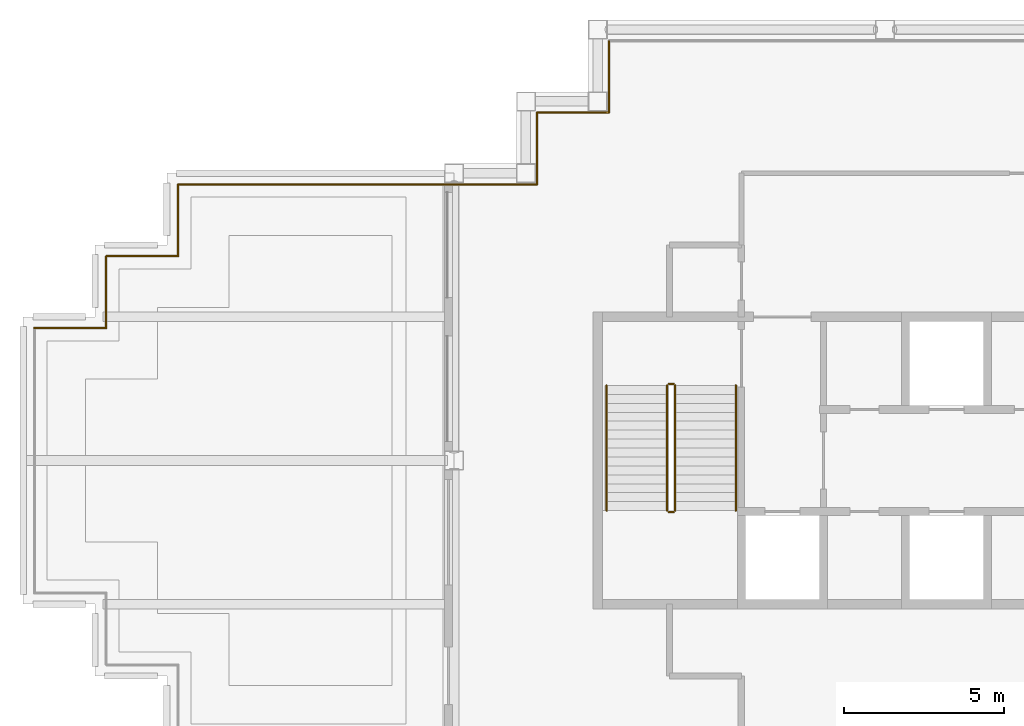
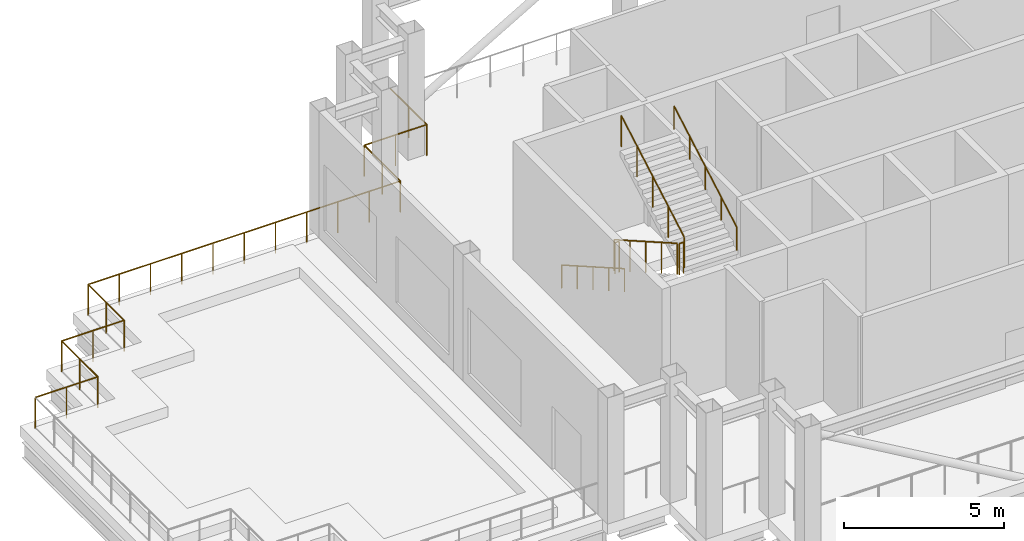
# One storey, part 7 of 9: 14 railings.
"""IFC4 building model written with IfcOpenShell, lengths in metres."""

import ifcopenshell
import ifcopenshell.guid

model = None  # the IFC model being written
_history = None  # IfcOwnerHistory: only IFC2X3 demands one
_inside = {}  # id of a spatial element -> (the spatial element, [elements in it])
_under = {}  # id of a project, library or spatial element -> (it, [spatial elements below it])
_declared = {}  # id of a project -> (the project, [libraries it declares])
_typed = {}  # id of a type object -> (the type object, [elements of that type])
_made_of = {}  # id of a material, layer set ... -> (it, [elements and type objects made of it])


def new_model(schema):
    """Start an empty IFC model of exactly this schema.

    Asked for "IFC4X3", IfcOpenShell would pick the latest addendum, in which some entities
    have other attributes; the version numbers below select the first issue.
    IFC2X3 requires an IfcOwnerHistory on every rooted entity: one is made here for all.
    """
    global model, _history
    if schema == "IFC4X3":
        model = ifcopenshell.file(schema_version=(4, 3, 0, 0))
    else:
        model = ifcopenshell.file(schema=schema)
    _inside.clear()
    _under.clear()
    _declared.clear()
    _typed.clear()
    _made_of.clear()
    _history = None
    if model.schema == "IFC2X3":
        org = make("IfcOrganization", Name="unknown")
        user = make(
            "IfcPersonAndOrganization",
            ThePerson=make("IfcPerson", FamilyName="unknown"),
            TheOrganization=org,
        )
        app = make(
            "IfcApplication",
            ApplicationDeveloper=org,
            Version="unknown",
            ApplicationFullName="unknown",
            ApplicationIdentifier="unknown",
        )
        _history = make(
            "IfcOwnerHistory",
            OwningUser=user,
            OwningApplication=app,
            ChangeAction="ADDED",
            CreationDate=0,
        )
    return model


def make(cls, **values):
    """One entity of the class cls with the attributes given. An attribute that is None is left unset."""
    return model.create_entity(
        cls, **{name: value for name, value in values.items() if value is not None}
    )


def rooted(cls, **values):
    """An entity with a GlobalId (a new one), such as an element, a storey or a relation."""
    return make(cls, GlobalId=ifcopenshell.guid.new(), OwnerHistory=_history, **values)


def si_unit(unit_type, name, prefix=None):
    """IfcSIUnit, for example si_unit("LENGTHUNIT", "METRE", prefix="MILLI")."""
    return make("IfcSIUnit", UnitType=unit_type, Prefix=prefix, Name=name)


def assignment(units):
    """IfcUnitAssignment: the units of a project."""
    return None if units is None else make("IfcUnitAssignment", Units=units)


def point(xyz):
    """IfcCartesianPoint."""
    return None if xyz is None else make("IfcCartesianPoint", Coordinates=xyz)


def direction(xyz):
    """IfcDirection."""
    return None if xyz is None else make("IfcDirection", DirectionRatios=xyz)


def frame(location, z_axis=None, x_axis=None):
    """IfcAxis2Placement3D, a coordinate frame: its origin and axes. An axis left out is left unset."""
    return make(
        "IfcAxis2Placement3D",
        Location=point(location),
        Axis=direction(z_axis),
        RefDirection=direction(x_axis),
    )


def frame_2d(location, x_axis=None):
    """IfcAxis2Placement2D, a coordinate frame in the plane: its origin and x axis."""
    return make(
        "IfcAxis2Placement2D", Location=point(location), RefDirection=direction(x_axis)
    )


def origin():
    """The frame at (0, 0, 0) with its axes left unset."""
    return frame((0.0, 0.0, 0.0))


def origin_2d():
    """The frame at (0, 0) in the plane with its x axis left unset."""
    return frame_2d((0.0, 0.0))


def place(relative_to, where):
    """IfcLocalPlacement: puts the frame where relative to a parent placement (None: the world)."""
    return make(
        "IfcLocalPlacement", PlacementRelTo=relative_to, RelativePlacement=where
    )


def context(
    kind, dimensions, precision=None, world=None, true_north=None, identifier=None
):
    """IfcGeometricRepresentationContext, for example the 3D "Model" context."""
    return make(
        "IfcGeometricRepresentationContext",
        ContextIdentifier=identifier,
        ContextType=kind,
        CoordinateSpaceDimension=dimensions,
        Precision=precision,
        WorldCoordinateSystem=world,
        TrueNorth=true_north,
    )


def subcontext(parent, identifier, kind, view, scale=None):
    """IfcGeometricRepresentationSubContext, for example "Body" below "Model"."""
    return make(
        "IfcGeometricRepresentationSubContext",
        ContextIdentifier=identifier,
        ContextType=kind,
        ParentContext=parent,
        TargetScale=scale,
        TargetView=view,
    )


def project(units=None, contexts=None):
    """IfcProject with its units and contexts."""
    return rooted(
        "IfcProject",
        Name="project",
        RepresentationContexts=contexts,
        UnitsInContext=assignment(units),
    )


def spatial(cls, under=None, at=None, **own):
    """A site, building, storey or space (cls), placed at a placement, below another one or the project."""
    s = rooted(cls, ObjectPlacement=at, **own)
    if under is not None:
        _under.setdefault(under.id(), (under, []))[1].append(s)
    return s


def profile(cls, at=None, kind="AREA", **sizes):
    """A parametric profile (cls). Its sizes go by their IFC names, for example OverallWidth=200.0."""
    return make(cls, ProfileType=kind, Position=at, **sizes)


def circle(**sizes):
    """IfcCircleProfileDef."""
    return profile("IfcCircleProfileDef", **sizes)


def extrude(swept, where, along, depth):
    """IfcExtrudedAreaSolid: the profile swept, set in the frame where, extruded along a direction by depth."""
    return make(
        "IfcExtrudedAreaSolid",
        SweptArea=swept,
        Position=where,
        ExtrudedDirection=direction(along),
        Depth=depth,
    )


def shape(context_of_items, identifier, shape_type, items):
    """IfcShapeRepresentation: the items that make up one representation, for example the "Body"."""
    return make(
        "IfcShapeRepresentation",
        ContextOfItems=context_of_items,
        RepresentationIdentifier=identifier,
        RepresentationType=shape_type,
        Items=items,
    )


def material(Name=None, Category=None):
    """IfcMaterial."""
    return make("IfcMaterial", Name=Name, Category=Category)


def made_of(thing, what):
    """Note that an element or type object is made of a material, layer set ...; save() writes the relation."""
    if what is not None:
        _made_of.setdefault(what.id(), (what, []))[1].append(thing)
    return thing


def type_object(cls, material=None, **own):
    """A type object (cls), such as IfcWallType, which elements share."""
    return made_of(rooted(cls, **own), material)


def element(
    cls,
    number,
    at=None,
    inside=None,
    cuts=None,
    type_object=None,
    material=None,
    context=None,
    identifier="Body",
    shape_type=None,
    held_by="IfcProductDefinitionShape",
    body=None,
    shapes=None,
    **own,
):
    """One element of the class cls, such as IfcWall. Its Tag is "e" and its number.

    at: its placement. inside: the storey or other place that contains it. cuts: it is an
    opening in that element (IfcRelVoidsElement). A single representation is given by context,
    identifier, shape_type and body (its items); several are given by shapes. held_by: the class
    of the entity that holds the representations. save() writes the other relations.
    """
    e = rooted(cls, Tag="e%d" % number, ObjectPlacement=at, **own)
    if body is not None:
        shapes = [shape(context, identifier, shape_type, body)]
    if shapes is not None:
        e.Representation = make(held_by, Representations=shapes)
    if inside is not None:
        _inside.setdefault(inside.id(), (inside, []))[1].append(e)
    if cuts is not None:
        rooted(
            "IfcRelVoidsElement", RelatingBuildingElement=cuts, RelatedOpeningElement=e
        )
    if type_object is not None:
        _typed.setdefault(type_object.id(), (type_object, []))[1].append(e)
    return made_of(e, material)


def aggregate(whole, parts):
    """IfcRelAggregates: a whole, such as a stair, and the parts it consists of."""
    return rooted("IfcRelAggregates", RelatingObject=whole, RelatedObjects=parts)


def save(model, path):
    """Write the relations noted so far, then the file.

    IfcRelAggregates (storeys below a building ...), IfcRelContainedInSpatialStructure (elements
    in a storey), IfcRelDefinesByType, IfcRelAssociatesMaterial and IfcRelDeclares: one each for
    every whole, place, type object, material and project.
    """
    for whole, parts in _under.values():
        aggregate(whole, parts)
    for where, things in _inside.values():
        rooted(
            "IfcRelContainedInSpatialStructure",
            RelatedElements=things,
            RelatingStructure=where,
        )
    for kind, things in _typed.values():
        rooted("IfcRelDefinesByType", RelatedObjects=things, RelatingType=kind)
    for what, things in _made_of.values():
        rooted("IfcRelAssociatesMaterial", RelatedObjects=things, RelatingMaterial=what)
    for by, libraries in _declared.values():
        rooted("IfcRelDeclares", RelatingContext=by, RelatedDefinitions=libraries)
    model.write(path)


model = new_model("IFC4")

# Units and contexts
model_context = context("Model", 3, precision=1e-05, world=origin(), true_north=direction((0.0, 1.0)))
body_context = subcontext(model_context, "Body", "Model", "MODEL_VIEW")
ifc_project = project(units=[si_unit("LENGTHUNIT", "METRE"), si_unit("AREAUNIT", "SQUARE_METRE"), si_unit("VOLUMEUNIT", "CUBIC_METRE"), si_unit("PLANEANGLEUNIT", "RADIAN"), si_unit("MASSUNIT", "GRAM", prefix="KILO")], contexts=[model_context])

# Site, building, storey
site_placement = place(None, origin())
site = spatial("IfcSite", under=ifc_project, at=site_placement, CompositionType="ELEMENT")
building_placement = place(site_placement, origin())
building = spatial("IfcBuilding", under=site, at=building_placement, Name="Caravel Reach Hotel and Residences", CompositionType="ELEMENT")
storey_placement = place(building_placement, frame((0.0, 0.0, 278.60009765625)))
storey = spatial("IfcBuildingStorey", under=building, at=storey_placement, Name="L71", CompositionType="ELEMENT", Elevation=278.60009765625)

# Railings
ifc_material_1 = material(Name="Stainless steel S30408", Category="steel")
railing_type_1 = type_object("IfcRailingType", Name="G1 Guard 1200 stainless", PredefinedType="GUARDRAIL", material=ifc_material_1)
railing_1_placement = place(storey_placement, frame((18.35009765625, 40.14990234375, 0.0)))
element("IfcRailing", 1, at=railing_1_placement, inside=storey, type_object=railing_type_1, Name="Guard L71 1 run 17", PredefinedType="GUARDRAIL", context=body_context, shape_type="SweptSolid", body=[
    extrude(circle(Radius=0.02392578125, at=origin_2d()), frame((0.0, 0.0, 1.17578125), z_axis=(0.0, -1.0, 0.0), x_axis=(1.0, 0.0, 0.0)), (0.0, 0.0, 1.0), 2.25),
    extrude(circle(Radius=0.02099609375, at=origin_2d()), frame((0.0, -1.125, 0.0)), (0.0, 0.0, 1.0), 1.15185546875),
    extrude(circle(Radius=0.02099609375, at=origin_2d()), frame((0.0, -2.25, 0.0)), (0.0, 0.0, 1.0), 1.15185546875),
])
railing_2_placement = place(storey_placement, frame((18.35009765625, 37.89990234375, 0.0)))
element("IfcRailing", 2, at=railing_2_placement, inside=storey, type_object=railing_type_1, Name="Guard L71 1 run 18", PredefinedType="GUARDRAIL", context=body_context, shape_type="SweptSolid", body=[
    extrude(circle(Radius=0.02392578125, at=origin_2d()), frame((0.0, 0.0, 1.17578125), z_axis=(-1.0, 0.0, 0.0), x_axis=(0.0, -1.0, 0.0)), (0.0, 0.0, 1.0), 2.25),
    extrude(circle(Radius=0.02099609375, at=origin_2d()), frame((-1.125, 0.0, 0.0)), (0.0, 0.0, 1.0), 1.15185546875),
    extrude(circle(Radius=0.02099609375, at=origin_2d()), frame((-2.25, 0.0, 0.0)), (0.0, 0.0, 1.0), 1.15185546875),
])
railing_3_placement = place(storey_placement, frame((16.10009765625, 37.89990234375, 0.0)))
element("IfcRailing", 3, at=railing_3_placement, inside=storey, type_object=railing_type_1, Name="Guard L71 1 run 19", PredefinedType="GUARDRAIL", context=body_context, shape_type="SweptSolid", body=[
    extrude(circle(Radius=0.02392578125, at=origin_2d()), frame((0.0, 0.0, 1.17578125), z_axis=(0.0, -1.0, 0.0), x_axis=(1.0, 0.0, 0.0)), (0.0, 0.0, 1.0), 2.25),
    extrude(circle(Radius=0.02099609375, at=origin_2d()), frame((0.0, -1.125, 0.0)), (0.0, 0.0, 1.0), 1.15185546875),
    extrude(circle(Radius=0.02099609375, at=origin_2d()), frame((0.0, -2.25, 0.0)), (0.0, 0.0, 1.0), 1.15185546875),
])
railing_4_placement = place(storey_placement, frame((16.10009765625, 35.64990234375, 0.0)))
element("IfcRailing", 4, at=railing_4_placement, inside=storey, type_object=railing_type_1, Name="Guard L71 1 run 20", PredefinedType="GUARDRAIL", context=body_context, shape_type="SweptSolid", body=[
    extrude(circle(Radius=0.02392578125, at=origin_2d()), frame((0.0, 0.0, 1.17578125), z_axis=(-1.0, 0.0, 0.0), x_axis=(0.0, -1.0, 0.0)), (0.0, 0.0, 1.0), 11.25),
    extrude(circle(Radius=0.02099609375, at=origin_2d()), frame((-1.125, 0.0, 0.0)), (0.0, 0.0, 1.0), 1.15185546875),
    extrude(circle(Radius=0.02099609375, at=origin_2d()), frame((-2.25, 0.0, 0.0)), (0.0, 0.0, 1.0), 1.15185546875),
    extrude(circle(Radius=0.02099609375, at=origin_2d()), frame((-3.375, 0.0, 0.0)), (0.0, 0.0, 1.0), 1.15185546875),
    extrude(circle(Radius=0.02099609375, at=origin_2d()), frame((-4.5, 0.0, 0.0)), (0.0, 0.0, 1.0), 1.15185546875),
    extrude(circle(Radius=0.02099609375, at=origin_2d()), frame((-5.625, 0.0, 0.0)), (0.0, 0.0, 1.0), 1.15185546875),
    extrude(circle(Radius=0.02099609375, at=origin_2d()), frame((-6.75, 0.0, 0.0)), (0.0, 0.0, 1.0), 1.15185546875),
    extrude(circle(Radius=0.02099609375, at=origin_2d()), frame((-7.875, 0.0, 0.0)), (0.0, 0.0, 1.0), 1.15185546875),
    extrude(circle(Radius=0.02099609375, at=origin_2d()), frame((-9.0, 0.0, 0.0)), (0.0, 0.0, 1.0), 1.15185546875),
    extrude(circle(Radius=0.02099609375, at=origin_2d()), frame((-10.125, 0.0, 0.0)), (0.0, 0.0, 1.0), 1.15185546875),
    extrude(circle(Radius=0.02099609375, at=origin_2d()), frame((-11.25, 0.0, 0.0)), (0.0, 0.0, 1.0), 1.15185546875),
])
railing_5_placement = place(storey_placement, frame((4.85009765625, 35.64990234375, 0.0)))
element("IfcRailing", 5, at=railing_5_placement, inside=storey, type_object=railing_type_1, Name="Guard L71 1 run 21", PredefinedType="GUARDRAIL", context=body_context, shape_type="SweptSolid", body=[
    extrude(circle(Radius=0.02392578125, at=origin_2d()), frame((0.0, 0.0, 1.17578125), z_axis=(0.0, -1.0, 0.0), x_axis=(1.0, 0.0, 0.0)), (0.0, 0.0, 1.0), 2.25),
    extrude(circle(Radius=0.02099609375, at=origin_2d()), frame((0.0, -1.125, 0.0)), (0.0, 0.0, 1.0), 1.15185546875),
    extrude(circle(Radius=0.02099609375, at=origin_2d()), frame((0.0, -2.25, 0.0)), (0.0, 0.0, 1.0), 1.15185546875),
])
railing_6_placement = place(storey_placement, frame((4.85009765625, 33.39990234375, 0.0)))
element("IfcRailing", 6, at=railing_6_placement, inside=storey, type_object=railing_type_1, Name="Guard L71 1 run 22", PredefinedType="GUARDRAIL", context=body_context, shape_type="SweptSolid", body=[
    extrude(circle(Radius=0.02392578125, at=origin_2d()), frame((0.0, 0.0, 1.17578125), z_axis=(-1.0, 0.0, 0.0), x_axis=(0.0, -1.0, 0.0)), (0.0, 0.0, 1.0), 2.25),
    extrude(circle(Radius=0.02099609375, at=origin_2d()), frame((-1.125, 0.0, 0.0)), (0.0, 0.0, 1.0), 1.15185546875),
    extrude(circle(Radius=0.02099609375, at=origin_2d()), frame((-2.25, 0.0, 0.0)), (0.0, 0.0, 1.0), 1.15185546875),
])
railing_7_placement = place(storey_placement, frame((2.60009765625, 33.39990234375, 0.0)))
element("IfcRailing", 7, at=railing_7_placement, inside=storey, type_object=railing_type_1, Name="Guard L71 1 run 23", PredefinedType="GUARDRAIL", context=body_context, shape_type="SweptSolid", body=[
    extrude(circle(Radius=0.02392578125, at=origin_2d()), frame((0.0, 0.0, 1.17578125), z_axis=(0.0, -1.0, 0.0), x_axis=(1.0, 0.0, 0.0)), (0.0, 0.0, 1.0), 2.25),
    extrude(circle(Radius=0.02099609375, at=origin_2d()), frame((0.0, -1.125, 0.0)), (0.0, 0.0, 1.0), 1.15185546875),
    extrude(circle(Radius=0.02099609375, at=origin_2d()), frame((0.0, -2.25, 0.0)), (0.0, 0.0, 1.0), 1.15185546875),
])
railing_8_placement = place(storey_placement, frame((2.60009765625, 31.14990234375, 0.0)))
element("IfcRailing", 8, at=railing_8_placement, inside=storey, type_object=railing_type_1, Name="Guard L71 1 run 24", PredefinedType="GUARDRAIL", context=body_context, shape_type="SweptSolid", body=[
    extrude(circle(Radius=0.02392578125, at=origin_2d()), frame((0.0, 0.0, 1.17578125), z_axis=(-1.0, 0.0, 0.0), x_axis=(0.0, -1.0, 0.0)), (0.0, 0.0, 1.0), 2.25),
    extrude(circle(Radius=0.02099609375, at=origin_2d()), frame((-1.125, 0.0, 0.0)), (0.0, 0.0, 1.0), 1.15185546875),
    extrude(circle(Radius=0.02099609375, at=origin_2d()), frame((-2.25, 0.0, 0.0)), (0.0, 0.0, 1.0), 1.15185546875),
])
ifc_material_2 = material(Name="Steel balustrade with glass infill", Category="steel")
railing_type_2 = type_object("IfcRailingType", Name="Guard 1200", PredefinedType="GUARDRAIL", material=ifc_material_2)
railing_9_placement = place(storey_placement, frame((20.175048828125, 29.35009765625, 0.159912109375)))
element("IfcRailing", 9, at=railing_9_placement, inside=storey, type_object=railing_type_2, Name="L71 ST-A stair guard 1", PredefinedType="GUARDRAIL", context=body_context, shape_type="SweptSolid", body=[
    extrude(circle(Radius=0.02392578125, at=origin_2d()), frame((0.0, 0.0, 1.17578125), z_axis=(0.0, -0.86825312469, 0.496121468458), x_axis=(1.0, 0.0, 0.0)), (0.0, 0.0, 1.0), 4.514892578125),
    extrude(circle(Radius=0.02099609375, at=origin_2d()), origin(), (0.0, 0.0, 1.0), 1.15185546875),
    extrude(circle(Radius=0.02099609375, at=origin_2d()), frame((0.0, -0.97998046875, 0.56005859375)), (0.0, 0.0, 1.0), 1.15185546875),
    extrude(circle(Radius=0.02099609375, at=origin_2d()), frame((0.0, -1.9599609375, 1.1201171875)), (0.0, 0.0, 1.0), 1.15185546875),
    extrude(circle(Radius=0.02099609375, at=origin_2d()), frame((0.0, -2.940185546875, 1.679931640625)), (0.0, 0.0, 1.0), 1.15185546875),
    extrude(circle(Radius=0.02099609375, at=origin_2d()), frame((0.0, -3.920166015625, 2.239990234375)), (0.0, 0.0, 1.0), 1.15185546875),
])
railing_10_placement = place(storey_placement, frame((20.22509765625, 25.3798828125, 2.39990234375)))
element("IfcRailing", 10, at=railing_10_placement, inside=storey, type_object=railing_type_2, Name="L71 ST-A stair guard 2", PredefinedType="GUARDRAIL", context=body_context, shape_type="SweptSolid", body=[
    extrude(circle(Radius=0.02392578125, at=origin_2d()), frame((0.0, 0.0, 1.17578125), z_axis=(1.0, 0.0, 0.0), x_axis=(0.0, 1.0, 0.0)), (0.0, 0.0, 1.0), 0.14990234375),
    extrude(circle(Radius=0.02099609375, at=origin_2d()), origin(), (0.0, 0.0, 1.0), 1.15185546875),
    extrude(circle(Radius=0.02099609375, at=origin_2d()), frame((0.14990234375, 0.0, 0.0)), (0.0, 0.0, 1.0), 1.15185546875),
])
railing_11_placement = place(storey_placement, frame((20.425048828125, 25.429931640625, 2.559814453125)))
element("IfcRailing", 11, at=railing_11_placement, inside=storey, type_object=railing_type_2, Name="L71 ST-A stair guard 3", PredefinedType="GUARDRAIL", context=body_context, shape_type="SweptSolid", body=[
    extrude(circle(Radius=0.02392578125, at=origin_2d()), frame((0.0, 0.0, 1.17578125), z_axis=(0.0, 0.86825312469, 0.496121468458), x_axis=(-1.0, 0.0, 0.0)), (0.0, 0.0, 1.0), 4.514892578125),
    extrude(circle(Radius=0.02099609375, at=origin_2d()), origin(), (0.0, 0.0, 1.0), 1.15185546875),
    extrude(circle(Radius=0.02099609375, at=origin_2d()), frame((0.0, 0.97998046875, 0.56005859375)), (0.0, 0.0, 1.0), 1.15185546875),
    extrude(circle(Radius=0.02099609375, at=origin_2d()), frame((0.0, 1.9599609375, 1.1201171875)), (0.0, 0.0, 1.0), 1.15185546875),
    extrude(circle(Radius=0.02099609375, at=origin_2d()), frame((0.0, 2.940185546875, 1.679931640625)), (0.0, 0.0, 1.0), 1.15185546875),
    extrude(circle(Radius=0.02099609375, at=origin_2d()), frame((0.0, 3.920166015625, 2.239990234375)), (0.0, 0.0, 1.0), 1.15185546875),
])
railing_12_placement = place(storey_placement, frame((20.22509765625, 29.39990234375, 0.0)))
element("IfcRailing", 12, at=railing_12_placement, inside=storey, type_object=railing_type_2, Name="L71 ST-A stair guard 4", PredefinedType="GUARDRAIL", context=body_context, shape_type="SweptSolid", body=[
    extrude(circle(Radius=0.02392578125, at=origin_2d()), frame((0.0, 0.0, 1.17578125), z_axis=(1.0, 0.0, 0.0), x_axis=(0.0, 1.0, 0.0)), (0.0, 0.0, 1.0), 0.14990234375),
    extrude(circle(Radius=0.02099609375, at=origin_2d()), origin(), (0.0, 0.0, 1.0), 1.15185546875),
    extrude(circle(Radius=0.02099609375, at=origin_2d()), frame((0.14990234375, 0.0, 0.0)), (0.0, 0.0, 1.0), 1.15185546875),
])
ifc_material_3 = material(Name="Stainless steel handrail", Category="steel")
railing_type_3 = type_object("IfcRailingType", Name="Handrail 900", PredefinedType="HANDRAIL", material=ifc_material_3)
railing_13_placement = place(storey_placement, frame((18.27490234375, 29.35009765625, 0.159912109375)))
element("IfcRailing", 13, at=railing_13_placement, inside=storey, type_object=railing_type_3, Name="L71 ST-A stair handrail 1", PredefinedType="HANDRAIL", context=body_context, shape_type="SweptSolid", body=[
    extrude(circle(Radius=0.02392578125, at=origin_2d()), frame((0.0, 0.0, 0.8759765625), z_axis=(0.0, -0.86825312469, 0.496121468458), x_axis=(1.0, 0.0, 0.0)), (0.0, 0.0, 1.0), 4.514892578125),
    extrude(circle(Radius=0.02099609375, at=origin_2d()), origin(), (0.0, 0.0, 1.0), 0.851806640625),
    extrude(circle(Radius=0.02099609375, at=origin_2d()), frame((0.0, -0.97998046875, 0.56005859375)), (0.0, 0.0, 1.0), 0.851806640625),
    extrude(circle(Radius=0.02099609375, at=origin_2d()), frame((0.0, -1.9599609375, 1.1201171875)), (0.0, 0.0, 1.0), 0.851806640625),
    extrude(circle(Radius=0.02099609375, at=origin_2d()), frame((0.0, -2.940185546875, 1.679931640625)), (0.0, 0.0, 1.0), 0.851806640625),
    extrude(circle(Radius=0.02099609375, at=origin_2d()), frame((0.0, -3.920166015625, 2.239990234375)), (0.0, 0.0, 1.0), 0.851806640625),
])
railing_14_placement = place(storey_placement, frame((22.324951171875, 25.429931640625, 2.559814453125)))
element("IfcRailing", 14, at=railing_14_placement, inside=storey, type_object=railing_type_3, Name="L71 ST-A stair handrail 2", PredefinedType="HANDRAIL", context=body_context, shape_type="SweptSolid", body=[
    extrude(circle(Radius=0.02392578125, at=origin_2d()), frame((0.0, 0.0, 0.8759765625), z_axis=(0.0, 0.86825312469, 0.496121468458), x_axis=(-1.0, 0.0, 0.0)), (0.0, 0.0, 1.0), 4.514892578125),
    extrude(circle(Radius=0.02099609375, at=origin_2d()), origin(), (0.0, 0.0, 1.0), 0.851806640625),
    extrude(circle(Radius=0.02099609375, at=origin_2d()), frame((0.0, 0.97998046875, 0.56005859375)), (0.0, 0.0, 1.0), 0.851806640625),
    extrude(circle(Radius=0.02099609375, at=origin_2d()), frame((0.0, 1.9599609375, 1.1201171875)), (0.0, 0.0, 1.0), 0.851806640625),
    extrude(circle(Radius=0.02099609375, at=origin_2d()), frame((0.0, 2.940185546875, 1.679931640625)), (0.0, 0.0, 1.0), 0.851806640625),
    extrude(circle(Radius=0.02099609375, at=origin_2d()), frame((0.0, 3.920166015625, 2.239990234375)), (0.0, 0.0, 1.0), 0.851806640625),
])

save(model, "model.ifc")
